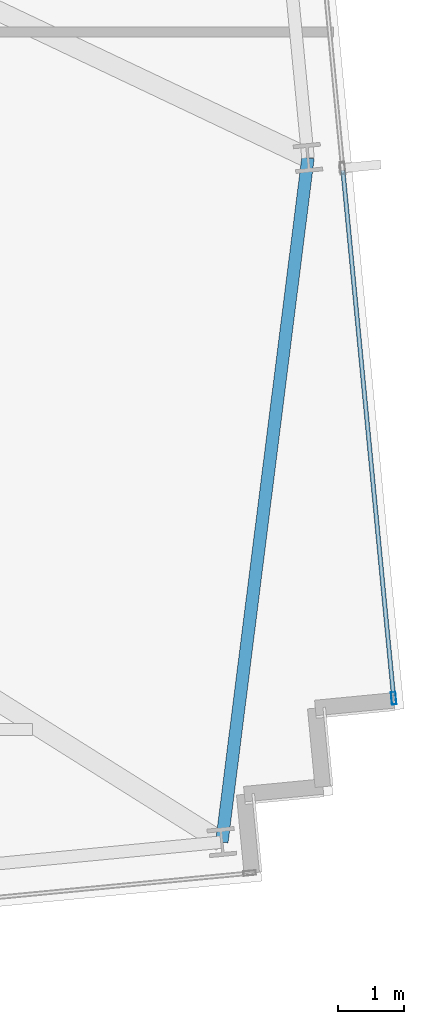
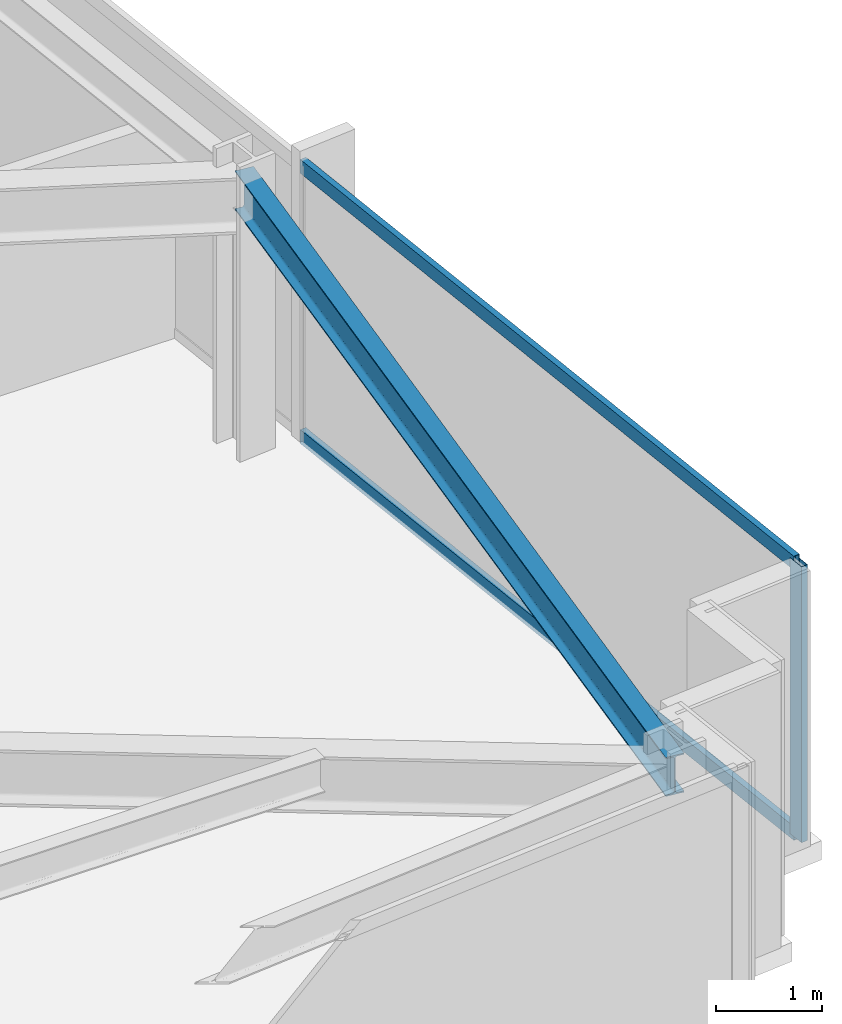
# One storey, part 14 of 33: 3 members, 1 beam, 1 element without a shape of its own.
"""IFC4 building model written with IfcOpenShell, lengths in metres."""

from ifc_helpers import new_model, si_unit, direction, frame, origin, origin_2d, place, context, subcontext, project, spatial, hollow_rectangle, i_section, extrude, material, material_profile, profile_set, type_object, element, aggregate, save


model = new_model("IFC4")

# Units and contexts
model_context = context("Model", 3, precision=1e-05, world=origin(), true_north=direction((0.0, 1.0)))
body_context = subcontext(model_context, "Body", "Model", "MODEL_VIEW")
ifc_project = project(units=[si_unit("LENGTHUNIT", "METRE"), si_unit("AREAUNIT", "SQUARE_METRE"), si_unit("VOLUMEUNIT", "CUBIC_METRE"), si_unit("PLANEANGLEUNIT", "RADIAN"), si_unit("MASSUNIT", "GRAM", prefix="KILO")], contexts=[model_context])

# Site, building, storey
site_placement = place(None, origin())
site = spatial("IfcSite", under=ifc_project, at=site_placement, CompositionType="ELEMENT")
building_placement = place(site_placement, origin())
building = spatial("IfcBuilding", under=site, at=building_placement, Name="Yelkora Congress Tower", CompositionType="ELEMENT")
storey_placement = place(building_placement, frame((0.0, 0.0, 110.10009765625)))
storey = spatial("IfcBuildingStorey", under=building, at=storey_placement, Name="L29", CompositionType="ELEMENT", Elevation=110.10009765625)

# Beam
ifc_material_1 = material(Name="Steel S355J2", Category="steel")
ifc_material_profile_1 = material_profile(ifc_material_1, i_section(OverallWidth=0.18994140625, OverallDepth=0.449951171875, WebThickness=0.009521484375, FlangeThickness=0.0146484375, FilletRadius=0.02099609375, at=origin_2d()), Name="IPE 450")
ifc_profile_set_1 = profile_set([ifc_material_profile_1], Name="Steel S355J2")
beam_type = type_object("IfcBeamType", Name="BM-SPAN-IPE450", PredefinedType="SPANDREL", material=ifc_profile_set_1)
beam_placement = place(storey_placement, frame((74.73193359375, 14.43505859375, 2.954833984375), z_axis=(0.124929198684, 0.99216565921, 0.0), x_axis=(-0.99216565921, 0.124929198684, 0.0)))
element("IfcBeam", 1, at=beam_placement, inside=storey, type_object=beam_type, Name="L29 Perimeter Beam 10", PredefinedType="SPANDREL", context=body_context, shape_type="SweptSolid", body=[
    extrude(i_section(OverallWidth=0.18994140625, OverallDepth=0.449951171875, WebThickness=0.009521484375, FlangeThickness=0.0146484375, FilletRadius=0.02099609375, at=origin_2d()), origin(), (0.0, 0.0, 1.0), 10.48046875),
])

# Curtain wall, members
ifc_material_2 = material(Name="Anodised aluminium and insulated glass", Category="aluminium")
curtain_wall_type = type_object("IfcCurtainWallType", Name="CW-SYS-B2", PredefinedType="NOTDEFINED", material=ifc_material_2)
curtain_wall_placement = place(storey_placement, origin())
curtain_wall = element("IfcCurtainWall", 2, at=curtain_wall_placement, inside=storey, type_object=curtain_wall_type, Name="L29 Unitised Curtain Wall 15", PredefinedType="NOTDEFINED")
ifc_material_3 = material(Name="Anodised aluminium 6063-T6", Category="aluminium")
ifc_material_profile_2 = material_profile(ifc_material_3, hollow_rectangle(XDim=0.070068359375, YDim=0.18994140625, WallThickness=0.00390625, at=origin_2d()), Name="ALU 70x190x4")
ifc_profile_set_2 = profile_set([ifc_material_profile_2], Name="Anodised aluminium 6063-T6")
member_type_1 = type_object("IfcMemberType", Name="MEM-ML-B2", PredefinedType="MULLION", material=ifc_profile_set_2)
member_1_placement = place(storey_placement, frame((77.34423828125, 16.62060546875, 0.0), z_axis=(0.0, 0.0, 1.0), x_axis=(0.995396507508, 0.095842541913, 0.0)))
member_1 = element("IfcMember", 3, at=member_1_placement, type_object=member_type_1, Name="CW-B2 mullion 5", PredefinedType="MULLION", context=body_context, shape_type="SweptSolid", body=[
    extrude(hollow_rectangle(XDim=0.070068359375, YDim=0.18994140625, WallThickness=0.00390625, at=origin_2d()), origin(), (0.0, 0.0, 1.0), 3.179931640625),
])
ifc_material_profile_3 = material_profile(ifc_material_3, hollow_rectangle(XDim=0.06494140625, YDim=0.159912109375, WallThickness=0.00390625, at=origin_2d()), Name="ALU 65x160x4")
ifc_profile_set_3 = profile_set([ifc_material_profile_3], Name="Anodised aluminium 6063-T6")
member_type_2 = type_object("IfcMemberType", Name="MEM-TR-B2", PredefinedType="USERDEFINED", material=ifc_profile_set_3)
member_2_placement = place(storey_placement, frame((76.57177734375, 24.6435546875, 0.032470703125), z_axis=(0.095858482834, -0.995394972495, 0.0), x_axis=(0.995394972495, 0.095858482834, 0.0)))
member_2 = element("IfcMember", 4, at=member_2_placement, type_object=member_type_2, Name="CW-B2 transom 4.1", ObjectType="TRANSOM", PredefinedType="USERDEFINED", context=body_context, shape_type="SweptSolid", body=[
    extrude(hollow_rectangle(XDim=0.06494140625, YDim=0.159912109375, WallThickness=0.00390625, at=origin_2d()), origin(), (0.0, 0.0, 1.0), 8.025146484375),
])
member_3_placement = place(storey_placement, frame((76.57177734375, 24.6435546875, 3.1474609375), z_axis=(0.095858482834, -0.995394972495, 0.0), x_axis=(0.995394972495, 0.095858482834, 0.0)))
member_3 = element("IfcMember", 5, at=member_3_placement, type_object=member_type_2, Name="CW-B2 transom 4.2", ObjectType="TRANSOM", PredefinedType="USERDEFINED", context=body_context, shape_type="SweptSolid", body=[
    extrude(hollow_rectangle(XDim=0.06494140625, YDim=0.159912109375, WallThickness=0.00390625, at=origin_2d()), origin(), (0.0, 0.0, 1.0), 8.025146484375),
])
aggregate(curtain_wall, [member_1, member_2, member_3])

save(model, "model.ifc")
